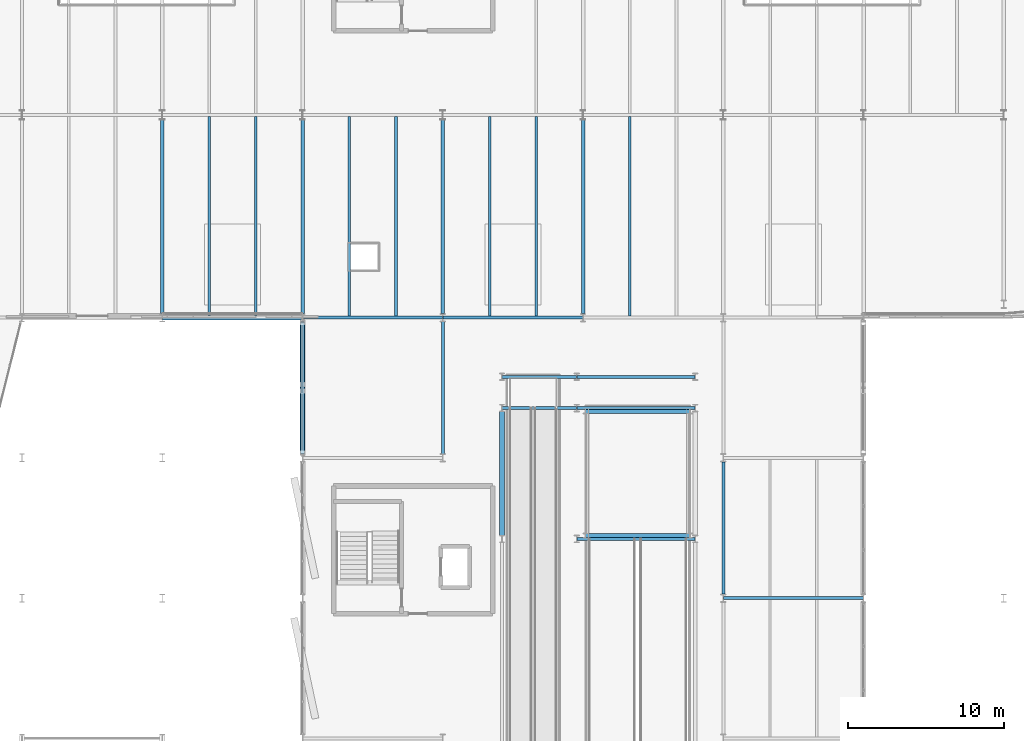
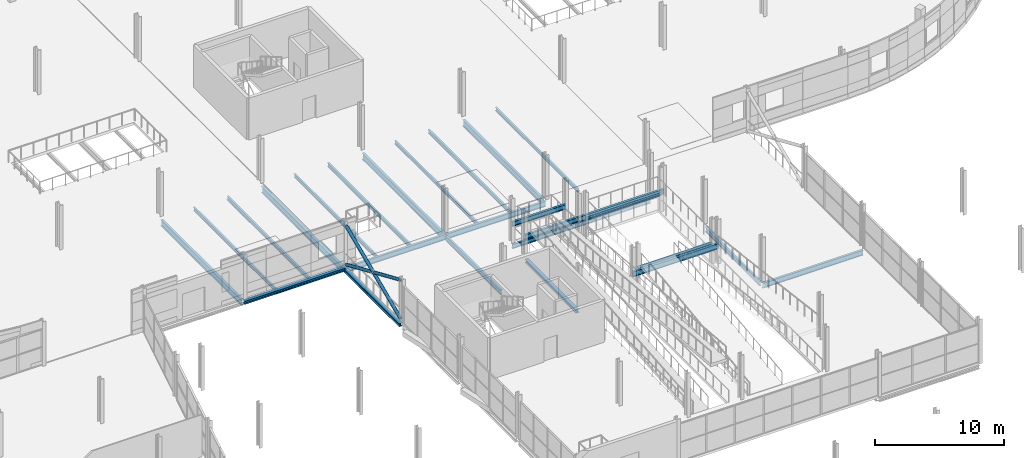
# One storey, part 82 of 140: 27 beams, 3 members.
"""IFC4 building model written with IfcOpenShell, lengths in metres."""

from ifc_helpers import new_model, si_unit, direction, frame, origin, origin_2d, place, context, subcontext, project, spatial, hollow_circle, i_section, extrude, material, material_profile, profile_set, type_object, element, save


model = new_model("IFC4")

# Units and contexts
model_context = context("Model", 3, precision=1e-05, world=origin(), true_north=direction((0.0, 1.0)))
body_context = subcontext(model_context, "Body", "Model", "MODEL_VIEW")
ifc_project = project(units=[si_unit("LENGTHUNIT", "METRE"), si_unit("AREAUNIT", "SQUARE_METRE"), si_unit("VOLUMEUNIT", "CUBIC_METRE"), si_unit("PLANEANGLEUNIT", "RADIAN"), si_unit("MASSUNIT", "GRAM", prefix="KILO")], contexts=[model_context])

# Site, building, storey
site_placement = place(None, origin())
site = spatial("IfcSite", under=ifc_project, at=site_placement, CompositionType="ELEMENT")
building_placement = place(site_placement, origin())
building = spatial("IfcBuilding", under=site, at=building_placement, Name="Deido Ridge Mobility Hub", CompositionType="ELEMENT")
storey_placement = place(building_placement, origin())
storey = spatial("IfcBuildingStorey", under=building, at=storey_placement, Name="L00", CompositionType="ELEMENT", Elevation=0.0)

# Beams
ifc_material_1 = material(Name="Steel S355J2 EN 10025-2", Category="steel")
ifc_material_profile_1 = material_profile(ifc_material_1, i_section(OverallWidth=0.300048828125, OverallDepth=0.330078125, WebThickness=0.009521484375, FlangeThickness=0.0166015625, FilletRadius=0.027099609375, at=origin_2d()), Name="HEA 340")
ifc_profile_set_1 = profile_set([ifc_material_profile_1], Name="Steel S355J2 EN 10025-2")
beam_type_1 = type_object("IfcBeamType", Name="BM-HEA340", PredefinedType="BEAM", material=ifc_profile_set_1)
beam_1_placement = place(storey_placement, frame((84.800048828125, 67.02490234375, -0.425048828125), z_axis=(0.0, 1.0, 0.0), x_axis=(-1.0, 0.0, 0.0)))
element("IfcBeam", 1, at=beam_1_placement, inside=storey, type_object=beam_type_1, Name="Floor beam B6", PredefinedType="BEAM", context=body_context, shape_type="SweptSolid", body=[
    extrude(i_section(OverallWidth=0.300048828125, OverallDepth=0.330078125, WebThickness=0.009521484375, FlangeThickness=0.0166015625, FilletRadius=0.027099609375, at=origin_2d()), origin(), (0.0, 0.0, 1.0), 7.9501953125),
])
for number, where, z_axis, x_axis, name in (
    (2, (90.14990234375, 67.0, 1.7099609375), (1.0, 0.0, 0.0), (0.0, 1.0, 0.0), "Vehicle ramp half-landing trimmer beam L00"),
    (3, (90.14990234375, 75.0, 1.7099609375), (1.0, 0.0, 0.0), (0.0, 1.0, 0.0), "Vehicle ramp half-landing trimmer beam L00"),
):
    element("IfcBeam", number, at=place(storey_placement, frame(where, z_axis=z_axis, x_axis=x_axis)), inside=storey, type_object=beam_type_1, Name=name, PredefinedType="BEAM", context=body_context, shape_type="SweptSolid", body=[
        extrude(i_section(OverallWidth=0.300048828125, OverallDepth=0.330078125, WebThickness=0.009521484375, FlangeThickness=0.0166015625, FilletRadius=0.027099609375, at=origin_2d()), origin(), (0.0, 0.0, 1.0), 6.7001953125),
    ])
ifc_material_profile_2 = material_profile(ifc_material_1, i_section(OverallWidth=0.179931640625, OverallDepth=0.39990234375, WebThickness=0.008544921875, FlangeThickness=0.013427734375, FilletRadius=0.02099609375, at=origin_2d()), Name="IPE 400")
ifc_profile_set_2 = profile_set([ifc_material_profile_2], Name="Steel S355J2 EN 10025-2")
beam_type_2 = type_object("IfcBeamType", Name="BM-IPE400", PredefinedType="BEAM", material=ifc_profile_set_2)
beam_2_placement = place(storey_placement, frame((84.806884765625, 77.199951171875, -0.4599609375), z_axis=(1.0, 0.0, 0.0), x_axis=(0.0, 1.0, 0.0)))
element("IfcBeam", 4, at=beam_2_placement, inside=storey, type_object=beam_type_2, Name="Floor beam B5", PredefinedType="BEAM", context=body_context, shape_type="SweptSolid", body=[
    extrude(i_section(OverallWidth=0.179931640625, OverallDepth=0.39990234375, WebThickness=0.008544921875, FlangeThickness=0.013427734375, FilletRadius=0.02099609375, at=origin_2d()), origin(), (0.0, 0.0, 1.0), 4.7861328125),
])
beam_3_placement = place(storey_placement, frame((89.60693359375, 77.199951171875, -0.4599609375), z_axis=(1.0, 0.0, 0.0), x_axis=(0.0, 1.0, 0.0)))
element("IfcBeam", 5, at=beam_3_placement, inside=storey, type_object=beam_type_2, Name="Floor beam B5", PredefinedType="BEAM", context=body_context, shape_type="SweptSolid", body=[
    extrude(i_section(OverallWidth=0.179931640625, OverallDepth=0.39990234375, WebThickness=0.008544921875, FlangeThickness=0.013427734375, FilletRadius=0.02099609375, at=origin_2d()), origin(), (0.0, 0.0, 1.0), 7.586181640625),
])
ifc_material_profile_3 = material_profile(ifc_material_1, i_section(OverallWidth=0.18994140625, OverallDepth=0.449951171875, WebThickness=0.009521484375, FlangeThickness=0.0146484375, FilletRadius=0.02099609375, at=origin_2d()), Name="IPE 450")
ifc_profile_set_3 = profile_set([ifc_material_profile_3], Name="Steel S355J2 EN 10025-2")
beam_type_3 = type_object("IfcBeamType", Name="BM-IPE450", PredefinedType="BEAM", material=ifc_profile_set_3)
for number, where, z_axis, x_axis, name in (
    (6, (81.0, 72.25, -0.485107421875), (0.0, 1.0, 0.0), (-1.0, 0.0, 0.0), "Floor beam B4"),
    (7, (99.0, 63.25, -0.485107421875), (0.0, 1.0, 0.0), (-1.0, 0.0, 0.0), "Floor beam B4"),
):
    element("IfcBeam", number, at=place(storey_placement, frame(where, z_axis=z_axis, x_axis=x_axis)), inside=storey, type_object=beam_type_3, Name=name, PredefinedType="BEAM", context=body_context, shape_type="SweptSolid", body=[
        extrude(i_section(OverallWidth=0.18994140625, OverallDepth=0.449951171875, WebThickness=0.009521484375, FlangeThickness=0.0146484375, FilletRadius=0.02099609375, at=origin_2d()), origin(), (0.0, 0.0, 1.0), 8.5),
    ])
for number, where, z_axis, x_axis, name in (
    (8, (84.805908203125, 75.199951171875, 1.659912109375), (1.0, 0.0, 0.0), (0.0, 1.0, 0.0), "Ramp landing beam B4"),
    (9, (84.805908203125, 77.199951171875, 1.659912109375), (1.0, 0.0, 0.0), (0.0, 1.0, 0.0), "Ramp landing beam B4"),
):
    element("IfcBeam", number, at=place(storey_placement, frame(where, z_axis=z_axis, x_axis=x_axis)), inside=storey, type_object=beam_type_3, Name=name, PredefinedType="BEAM", context=body_context, shape_type="SweptSolid", body=[
        extrude(i_section(OverallWidth=0.18994140625, OverallDepth=0.449951171875, WebThickness=0.009521484375, FlangeThickness=0.0146484375, FilletRadius=0.02099609375, at=origin_2d()), origin(), (0.0, 0.0, 1.0), 4.7880859375),
    ])
ifc_material_profile_4 = material_profile(ifc_material_1, i_section(OverallWidth=0.199951171875, OverallDepth=0.5, WebThickness=0.01025390625, FlangeThickness=0.01611328125, FilletRadius=0.02099609375, at=origin_2d()), Name="IPE 500")
ifc_profile_set_4 = profile_set([ifc_material_profile_4], Name="Steel S355J2 EN 10025-2")
beam_type_4 = type_object("IfcBeamType", Name="BM-IPE500", PredefinedType="BEAM", material=ifc_profile_set_4)
for number, where, z_axis, x_axis, name in (
    (10, (99.007080078125, 63.0, -0.510009765625), (1.0, 0.0, 0.0), (0.0, 1.0, 0.0), "Floor beam B3"),
    (11, (72.007080078125, 81.0, -0.510009765625), (1.0, 0.0, 0.0), (0.0, 1.0, 0.0), "Floor beam B3"),
    (12, (81.007080078125, 81.0, -0.510009765625), (1.0, 0.0, 0.0), (0.0, 1.0, 0.0), "Floor beam B3"),
):
    element("IfcBeam", number, at=place(storey_placement, frame(where, z_axis=z_axis, x_axis=x_axis)), inside=storey, type_object=beam_type_4, Name=name, PredefinedType="BEAM", context=body_context, shape_type="SweptSolid", body=[
        extrude(i_section(OverallWidth=0.199951171875, OverallDepth=0.5, WebThickness=0.01025390625, FlangeThickness=0.01611328125, FilletRadius=0.02099609375, at=origin_2d()), origin(), (0.0, 0.0, 1.0), 8.98583984375),
    ])
for number, where, z_axis, x_axis, name in (
    (13, (89.60595703125, 66.800048828125, 1.550048828125), (1.0, 0.0, 0.0), (0.0, 1.0, 0.0), "Ramp landing beam B3"),
    (14, (89.60595703125, 75.199951171875, 1.625), (1.0, 0.0, 0.0), (0.0, 1.0, 0.0), "Ramp landing beam B3"),
):
    element("IfcBeam", number, at=place(storey_placement, frame(where, z_axis=z_axis, x_axis=x_axis)), inside=storey, type_object=beam_type_4, Name=name, PredefinedType="BEAM", context=body_context, shape_type="SweptSolid", body=[
        extrude(i_section(OverallWidth=0.199951171875, OverallDepth=0.5, WebThickness=0.01025390625, FlangeThickness=0.01611328125, FilletRadius=0.02099609375, at=origin_2d()), origin(), (0.0, 0.0, 1.0), 7.588134765625),
    ])
ifc_material_profile_5 = material_profile(ifc_material_1, i_section(OverallWidth=0.219970703125, OverallDepth=0.60009765625, WebThickness=0.011962890625, FlangeThickness=0.01904296875, FilletRadius=0.02392578125, at=origin_2d()), Name="IPE 600")
ifc_profile_set_5 = profile_set([ifc_material_profile_5], Name="Steel S355J2 EN 10025-2")
beam_type_5 = type_object("IfcBeamType", Name="BM-IPE600", PredefinedType="BEAM", material=ifc_profile_set_5)
for number, where, z_axis, x_axis, name in (
    (15, (63.0, 81.25, -0.56005859375), (0.0, 1.0, 0.0), (-1.0, 0.0, 0.0), "Floor beam B1"),
    (16, (72.0, 81.25, -0.56005859375), (0.0, 1.0, 0.0), (-1.0, 0.0, 0.0), "Floor beam B1"),
    (17, (81.0, 81.25, -0.56005859375), (0.0, 1.0, 0.0), (-1.0, 0.0, 0.0), "Floor beam B1"),
    (18, (90.0, 81.25, -0.56005859375), (0.0, 1.0, 0.0), (-1.0, 0.0, 0.0), "Floor beam B1"),
):
    element("IfcBeam", number, at=place(storey_placement, frame(where, z_axis=z_axis, x_axis=x_axis)), inside=storey, type_object=beam_type_5, Name=name, PredefinedType="BEAM", context=body_context, shape_type="SweptSolid", body=[
        extrude(i_section(OverallWidth=0.219970703125, OverallDepth=0.60009765625, WebThickness=0.011962890625, FlangeThickness=0.01904296875, FilletRadius=0.02392578125, at=origin_2d()), origin(), (0.0, 0.0, 1.0), 12.449951171875),
    ])
ifc_material_profile_6 = material_profile(ifc_material_1, i_section(OverallWidth=0.159912109375, OverallDepth=0.330078125, WebThickness=0.007568359375, FlangeThickness=0.011474609375, FilletRadius=0.01806640625, at=origin_2d()), Name="IPE 330")
ifc_profile_set_6 = profile_set([ifc_material_profile_6], Name="Steel S355J2 EN 10025-2")
beam_type_6 = type_object("IfcBeamType", Name="JST-IPE330", PredefinedType="JOIST", material=ifc_profile_set_6)
beam_4_placement = place(storey_placement, frame((66.0, 81.14990234375, -0.425048828125), z_axis=(0.0, 1.0, 0.0), x_axis=(-1.0, 0.0, 0.0)))
element("IfcBeam", 19, at=beam_4_placement, inside=storey, type_object=beam_type_6, Name="Composite joist J2", PredefinedType="JOIST", context=body_context, shape_type="SweptSolid", body=[
    extrude(i_section(OverallWidth=0.159912109375, OverallDepth=0.330078125, WebThickness=0.007568359375, FlangeThickness=0.011474609375, FilletRadius=0.01806640625, at=origin_2d()), origin(), (0.0, 0.0, 1.0), 12.75),
])
for number, where, z_axis, x_axis, name in (
    (20, (75.0, 81.10009765625, -0.425048828125), (0.0, 1.0, 0.0), (-1.0, 0.0, 0.0), "Composite joist J2"),
    (21, (84.0, 81.10009765625, -0.425048828125), (0.0, 1.0, 0.0), (-1.0, 0.0, 0.0), "Composite joist J2"),
    (22, (93.0, 81.10009765625, -0.425048828125), (0.0, 1.0, 0.0), (-1.0, 0.0, 0.0), "Composite joist J2"),
):
    element("IfcBeam", number, at=place(storey_placement, frame(where, z_axis=z_axis, x_axis=x_axis)), inside=storey, type_object=beam_type_6, Name=name, PredefinedType="JOIST", context=body_context, shape_type="SweptSolid", body=[
        extrude(i_section(OverallWidth=0.159912109375, OverallDepth=0.330078125, WebThickness=0.007568359375, FlangeThickness=0.011474609375, FilletRadius=0.01806640625, at=origin_2d()), origin(), (0.0, 0.0, 1.0), 12.7998046875),
    ])
ifc_material_profile_7 = material_profile(ifc_material_1, i_section(OverallWidth=0.169921875, OverallDepth=0.360107421875, WebThickness=0.008056640625, FlangeThickness=0.0126953125, FilletRadius=0.01806640625, at=origin_2d()), Name="IPE 360")
ifc_profile_set_7 = profile_set([ifc_material_profile_7], Name="Steel S355J2 EN 10025-2")
beam_type_7 = type_object("IfcBeamType", Name="JST-IPE360", PredefinedType="JOIST", material=ifc_profile_set_7)
beam_5_placement = place(storey_placement, frame((69.0, 81.14990234375, -0.43994140625), z_axis=(0.0, 1.0, 0.0), x_axis=(-1.0, 0.0, 0.0)))
element("IfcBeam", 23, at=beam_5_placement, inside=storey, type_object=beam_type_7, Name="Composite joist J1", PredefinedType="JOIST", context=body_context, shape_type="SweptSolid", body=[
    extrude(i_section(OverallWidth=0.169921875, OverallDepth=0.360107421875, WebThickness=0.008056640625, FlangeThickness=0.0126953125, FilletRadius=0.01806640625, at=origin_2d()), origin(), (0.0, 0.0, 1.0), 12.75),
])
for number, where, z_axis, x_axis, name in (
    (24, (78.0, 81.10009765625, -0.43994140625), (0.0, 1.0, 0.0), (-1.0, 0.0, 0.0), "Composite joist J1"),
    (25, (87.0, 81.10009765625, -0.43994140625), (0.0, 1.0, 0.0), (-1.0, 0.0, 0.0), "Composite joist J1"),
):
    element("IfcBeam", number, at=place(storey_placement, frame(where, z_axis=z_axis, x_axis=x_axis)), inside=storey, type_object=beam_type_7, Name=name, PredefinedType="JOIST", context=body_context, shape_type="SweptSolid", body=[
        extrude(i_section(OverallWidth=0.169921875, OverallDepth=0.360107421875, WebThickness=0.008056640625, FlangeThickness=0.0126953125, FilletRadius=0.01806640625, at=origin_2d()), origin(), (0.0, 0.0, 1.0), 12.7998046875),
    ])

# Members
ifc_material_2 = material(Name="Steel S355J2H EN 10210-1", Category="steel")
ifc_material_profile_8 = material_profile(ifc_material_2, hollow_circle(Radius=0.136474609375, WallThickness=0.012451171875, at=origin_2d()), Name="CHS 273x12.5")
ifc_profile_set_8 = profile_set([ifc_material_profile_8], Name="Steel S355J2H EN 10210-1")
member_type = type_object("IfcMemberType", Name="MEM-BRC-CHS273", PredefinedType="BRACE", material=ifc_profile_set_8)
member_placement = place(storey_placement, frame((72.0, 72.300048828125, 0.179931640625), z_axis=(0.0, 0.91754849034, 0.397623902545), x_axis=(-1.0, 0.0, 0.0)))
element("IfcMember", 26, at=member_placement, inside=storey, type_object=member_type, Name="Continuous X-brace diagonal BR1", PredefinedType="BRACE", context=body_context, shape_type="SweptSolid", body=[
    extrude(hollow_circle(Radius=0.136474609375, WallThickness=0.012451171875, at=origin_2d()), origin(), (0.0, 0.0, 1.0), 9.15478515625),
])
for number, where, z_axis, x_axis, name in (
    (27, (72.0, 80.699951171875, 0.179931640625), (0.0, -0.917550833654, 0.397618495119), (1.0, 0.0, 0.0), "Split X-brace diagonal segment BR1"),
    (28, (72.0, 76.27978515625, 2.095458984375), (0.0, -0.917550833654, 0.397618495119), (1.0, 0.0, 0.0), "Split X-brace diagonal segment BR1"),
):
    element("IfcMember", number, at=place(storey_placement, frame(where, z_axis=z_axis, x_axis=x_axis)), inside=storey, type_object=member_type, Name=name, PredefinedType="BRACE", context=body_context, shape_type="SweptSolid", body=[
        extrude(hollow_circle(Radius=0.136474609375, WallThickness=0.012451171875, at=origin_2d()), origin(), (0.0, 0.0, 1.0), 4.33740234375),
    ])

# Beams
ifc_material_profile_9 = material_profile(ifc_material_1, i_section(OverallWidth=0.300048828125, OverallDepth=0.300048828125, WebThickness=0.010986328125, FlangeThickness=0.01904296875, FilletRadius=0.027099609375, at=origin_2d()), Name="HEB 300")
ifc_profile_set_9 = profile_set([ifc_material_profile_9], Name="Steel S355J2 EN 10025-2")
beam_type_8 = type_object("IfcBeamType", Name="SPD-HEB300", PredefinedType="SPANDREL", material=ifc_profile_set_9)
beam_6_placement = place(storey_placement, frame((63.007080078125, 81.0, -0.409912109375), z_axis=(1.0, 0.0, 0.0), x_axis=(0.0, 1.0, 0.0)))
element("IfcBeam", 29, at=beam_6_placement, inside=storey, type_object=beam_type_8, Name="Floor beam SP1", PredefinedType="SPANDREL", context=body_context, shape_type="SweptSolid", body=[
    extrude(i_section(OverallWidth=0.300048828125, OverallDepth=0.300048828125, WebThickness=0.010986328125, FlangeThickness=0.01904296875, FilletRadius=0.027099609375, at=origin_2d()), origin(), (0.0, 0.0, 1.0), 8.98583984375),
])
beam_7_placement = place(storey_placement, frame((72.0, 72.25, -0.409912109375), z_axis=(0.0, 1.0, 0.0), x_axis=(-1.0, 0.0, 0.0)))
element("IfcBeam", 30, at=beam_7_placement, inside=storey, type_object=beam_type_8, Name="Floor beam SP1", PredefinedType="SPANDREL", context=body_context, shape_type="SweptSolid", body=[
    extrude(i_section(OverallWidth=0.300048828125, OverallDepth=0.300048828125, WebThickness=0.010986328125, FlangeThickness=0.01904296875, FilletRadius=0.027099609375, at=origin_2d()), origin(), (0.0, 0.0, 1.0), 8.5),
])

save(model, "model.ifc")
